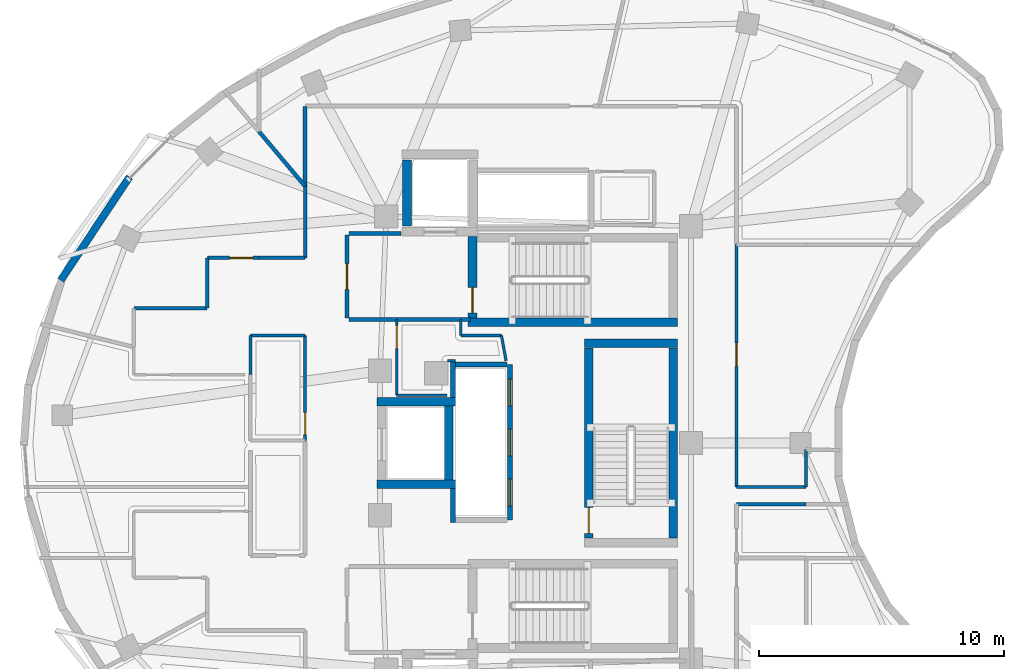
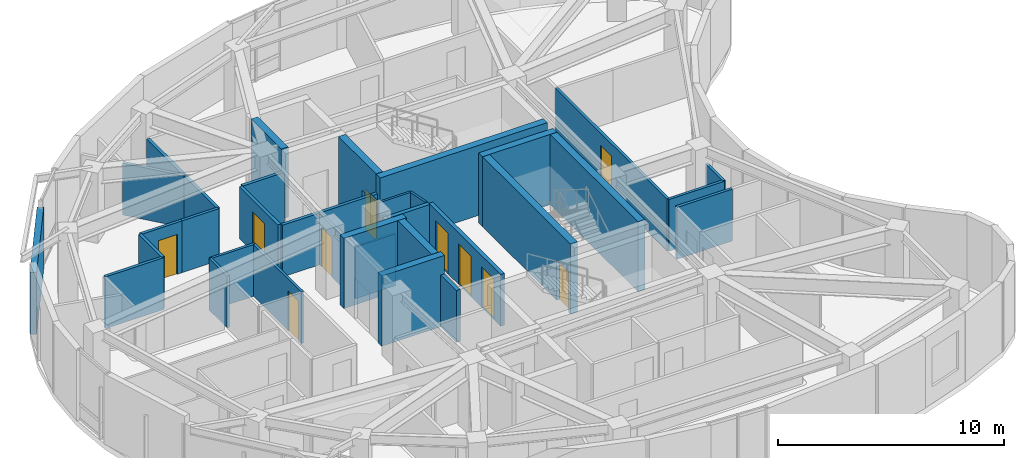
# One storey, part 7 of 12: 37 walls, 10 doors, 10 openings.
"""IFC4 building model written with IfcOpenShell, lengths in metres."""

from ifc_helpers import new_model, si_unit, direction, frame, frame_2d, origin, place, context, subcontext, project, spatial, rectangle, extrude, material, layer, layer_set, type_object, element, fill, save


model = new_model("IFC4")

# Units and contexts
model_context = context("Model", 3, precision=1e-05, world=origin(), true_north=direction((0.0, 1.0)))
body_context = subcontext(model_context, "Body", "Model", "MODEL_VIEW")
ifc_project = project(units=[si_unit("LENGTHUNIT", "METRE"), si_unit("AREAUNIT", "SQUARE_METRE"), si_unit("VOLUMEUNIT", "CUBIC_METRE"), si_unit("PLANEANGLEUNIT", "RADIAN"), si_unit("MASSUNIT", "GRAM", prefix="KILO")], contexts=[model_context])

# Site, building, storey
site_placement = place(None, origin())
site = spatial("IfcSite", under=ifc_project, at=site_placement, CompositionType="ELEMENT")
building_placement = place(site_placement, origin())
building = spatial("IfcBuilding", under=site, at=building_placement, Name="Korentha Bioscience Tower", CompositionType="ELEMENT")
storey_placement = place(building_placement, frame((0.0, 0.0, 282.60009765625)))
storey = spatial("IfcBuildingStorey", under=building, at=storey_placement, Name="L65", CompositionType="ELEMENT", Elevation=282.60009765625)

# Wall, opening, door
ifc_material_1 = material(Name="Double-Stud Acoustic Gypsum", Category="gypsum")
ifc_layer_1 = layer(ifc_material_1, 0.14990234375, Name="Double-Stud Acoustic Gypsum")
ifc_layer_set_1 = layer_set([ifc_layer_1], Name="Double-Stud Acoustic Gypsum (IW-L150)")
wall_type_1 = type_object("IfcWallType", Name="Acoustic Laboratory Partition Wall 150", PredefinedType="PARTITIONING", material=ifc_layer_set_1)
wall_1_placement = place(storey_placement, frame((19.89794921875, 34.56005859375, 0.0), z_axis=(0.0, 0.0, 1.0), x_axis=(-1.0, 0.0, 0.0)))
wall_1 = element("IfcWall", 1, at=wall_1_placement, inside=storey, type_object=wall_type_1, Name="L65 Data Visualization Collaboration Hub 12 Entrance Wall", PredefinedType="PARTITIONING", context=body_context, shape_type="SweptSolid", body=[
    extrude(rectangle(XDim=2.097900390625, YDim=0.14990234375, at=frame_2d((1.048828125, 0.0))), origin(), (0.0, 0.0, 1.0), 2.7998046875),
])
opening_1_placement = place(wall_1_placement, frame((0.239990234375, 0.0, 0.0)))
opening_1 = element("IfcOpeningElement", 2, at=opening_1_placement, cuts=wall_1, Name="Opening ID-10L", PredefinedType="OPENING", context=body_context, shape_type="SweptSolid", body=[
    extrude(rectangle(XDim=0.949951171875, YDim=2.14990234375, at=frame_2d((0.47509765625, 1.074951171875))), frame((0.0, 0.08984375, 0.0), z_axis=(0.0, -1.0, 0.0), x_axis=(1.0, 0.0, 0.0)), (0.0, 0.0, 1.0), 0.1796875),
])
ifc_material_2 = material(Name="Phenolic Laminate Timber Core", Category="wood")
door_type_1 = type_object("IfcDoorType", Name="Laboratory Single Leaf Door 950x2150 Left", OperationType="SINGLE_SWING_LEFT", PredefinedType="DOOR", material=ifc_material_2)
door_1_placement = place(opening_1_placement, origin())
door_1 = element("IfcDoor", 3, at=door_1_placement, inside=storey, type_object=door_type_1, Name="L65 Data Visualization Collaboration Hub 12 Door", OperationType="SINGLE_SWING_LEFT", OverallHeight=2.14990234375, OverallWidth=0.949951171875, PredefinedType="DOOR", context=body_context, shape_type="SweptSolid", body=[
    extrude(rectangle(XDim=0.949951171875, YDim=2.14990234375, at=frame_2d((0.47509765625, 1.074951171875))), frame((0.0, 0.02490234375, 0.0), z_axis=(0.0, -1.0, 0.0), x_axis=(1.0, 0.0, 0.0)), (0.0, 0.0, 1.0), 0.050048828125),
])
fill(opening_1, door_1)

# Walls
wall_2_placement = place(storey_placement, frame((39.409912109375, 24.498046875, 0.0), z_axis=(0.0, 0.0, 1.0), x_axis=(1.0, 0.0, 0.0)))
element("IfcWall", 4, at=wall_2_placement, inside=storey, type_object=wall_type_1, Name="L65 Interior Partition 051", PredefinedType="PARTITIONING", context=body_context, shape_type="SweptSolid", body=[
    extrude(rectangle(XDim=2.837890625, YDim=0.14990234375, at=frame_2d((1.4189453125, 0.0))), origin(), (0.0, 0.0, 1.0), 2.7998046875),
])
wall_3_placement = place(storey_placement, frame((21.7900390625, 37.4736328125, 0.0), z_axis=(0.0, 0.0, 1.0), x_axis=(0.0, -1.0, 0.0)))
element("IfcWall", 5, at=wall_3_placement, inside=storey, type_object=wall_type_1, Name="L65 Interior Partition 068", PredefinedType="PARTITIONING", context=body_context, shape_type="SweptSolid", body=[
    extrude(rectangle(XDim=2.90966796875, YDim=0.14990234375, at=frame_2d((1.454833984375, 0.0))), origin(), (0.0, 0.0, 1.0), 2.7998046875),
])
wall_4_placement = place(storey_placement, frame((21.7900390625, 34.56396484375, 0.0), z_axis=(0.0, 0.0, 1.0), x_axis=(-1.0, 0.0, 0.0)))
element("IfcWall", 6, at=wall_4_placement, inside=storey, type_object=wall_type_1, Name="L65 Interior Partition 069", PredefinedType="PARTITIONING", context=body_context, shape_type="SweptSolid", body=[
    extrude(rectangle(XDim=1.887939453125, YDim=0.14990234375, at=frame_2d((0.94384765625, 0.0))), origin(), (0.0, 0.0, 1.0), 2.7998046875),
])
wall_5_placement = place(storey_placement, frame((17.7900390625, 34.550048828125, 0.0), z_axis=(0.0, 0.0, 1.0), x_axis=(0.0, -1.0, 0.0)))
element("IfcWall", 7, at=wall_5_placement, inside=storey, type_object=wall_type_1, Name="L65 Interior Partition 071", PredefinedType="PARTITIONING", context=body_context, shape_type="SweptSolid", body=[
    extrude(rectangle(XDim=2.0400390625, YDim=0.14990234375, at=frame_2d((1.02001953125, 0.0))), origin(), (0.0, 0.0, 1.0), 2.7998046875),
])
wall_6_placement = place(storey_placement, frame((17.7900390625, 32.510009765625, 0.0), z_axis=(0.0, 0.0, 1.0), x_axis=(-1.0, 0.0, 0.0)))
element("IfcWall", 8, at=wall_6_placement, inside=storey, type_object=wall_type_1, Name="L65 Interior Partition 072", PredefinedType="PARTITIONING", context=body_context, shape_type="SweptSolid", body=[
    extrude(rectangle(XDim=2.989990234375, YDim=0.14990234375, at=frame_2d((1.4951171875, 0.0))), origin(), (0.0, 0.0, 1.0), 2.7998046875),
])

# Wall, opening, door
ifc_material_3 = material(Name="Insulated Aluminium Honeycomb Panel", Category="aluminium")
ifc_layer_2 = layer(ifc_material_3, 0.139892578125, Name="Insulated Aluminium Honeycomb Panel")
ifc_layer_set_2 = layer_set([ifc_layer_2], Name="Insulated Aluminium Honeycomb Panel (IW-F60)")
wall_type_2 = type_object("IfcWallType", Name="Cleanroom Flush Metal Panel Partition 140", PredefinedType="PARTITIONING", material=ifc_layer_set_2)
wall_7_placement = place(storey_placement, frame((39.409912109375, 25.201904296875, 0.0), z_axis=(0.0, 0.0, 1.0), x_axis=(0.0, 1.0, 0.0)))
wall_7 = element("IfcWall", 9, at=wall_7_placement, inside=storey, type_object=wall_type_2, Name="L65 NMR Spectroscopy Shielded Room 08 Entrance Wall", PredefinedType="PARTITIONING", context=body_context, shape_type="SweptSolid", body=[
    extrude(rectangle(XDim=9.89599609375, YDim=0.139892578125, at=frame_2d((4.947998046875, 0.0))), origin(), (0.0, 0.0, 1.0), 2.7998046875),
])
opening_2_placement = place(wall_7_placement, frame((4.927978515625, 0.0, 0.0)))
opening_2 = element("IfcOpeningElement", 10, at=opening_2_placement, cuts=wall_7, Name="Opening ID-10L", PredefinedType="OPENING", context=body_context, shape_type="SweptSolid", body=[
    extrude(rectangle(XDim=0.949951171875, YDim=2.14990234375, at=frame_2d((0.47509765625, 1.074951171875))), frame((0.0, 0.0849609375, 0.0), z_axis=(0.0, -1.0, 0.0), x_axis=(1.0, 0.0, 0.0)), (0.0, 0.0, 1.0), 0.169677734375),
])
door_2_placement = place(opening_2_placement, origin())
door_2 = element("IfcDoor", 11, at=door_2_placement, inside=storey, type_object=door_type_1, Name="L65 NMR Spectroscopy Shielded Room 08 Door", OperationType="SINGLE_SWING_LEFT", OverallHeight=2.14990234375, OverallWidth=0.949951171875, PredefinedType="DOOR", context=body_context, shape_type="SweptSolid", body=[
    extrude(rectangle(XDim=0.949951171875, YDim=2.14990234375, at=frame_2d((0.47509765625, 1.074951171875))), frame((0.0, 0.02490234375, 0.0), z_axis=(0.0, -1.0, 0.0), x_axis=(1.0, 0.0, 0.0)), (0.0, 0.0, 1.0), 0.050048828125),
])
fill(opening_2, door_2)

# Walls
wall_8_placement = place(storey_placement, frame((42.248046875, 26.73388671875, 0.0), z_axis=(0.0, 0.0, 1.0), x_axis=(0.0, -1.0, 0.0)))
element("IfcWall", 12, at=wall_8_placement, inside=storey, type_object=wall_type_2, Name="L65 Interior Partition 054", PredefinedType="PARTITIONING", context=body_context, shape_type="SweptSolid", body=[
    extrude(rectangle(XDim=1.53173828125, YDim=0.139892578125, at=frame_2d((0.765869140625, 0.0))), origin(), (0.0, 0.0, 1.0), 2.7998046875),
])
wall_9_placement = place(storey_placement, frame((42.247802734375, 25.201904296875, 0.0), z_axis=(0.0, 0.0, 1.0), x_axis=(-1.0, 0.0, 0.0)))
element("IfcWall", 13, at=wall_9_placement, inside=storey, type_object=wall_type_2, Name="L65 Interior Partition 055", PredefinedType="PARTITIONING", context=body_context, shape_type="SweptSolid", body=[
    extrude(rectangle(XDim=2.837890625, YDim=0.139892578125, at=frame_2d((1.4189453125, 0.0))), origin(), (0.0, 0.0, 1.0), 2.7998046875),
])

# Wall, opening, door
ifc_material_4 = material(Name="Fire-Rated Framed Glass", Category="glass")
ifc_layer_3 = layer(ifc_material_4, 0.110107421875, Name="Fire-Rated Framed Glass")
ifc_layer_set_3 = layer_set([ifc_layer_3], Name="Fire-Rated Framed Glass (IW-G110)")
wall_type_3 = type_object("IfcWallType", Name="Demountable Glazed Office Partition 110", PredefinedType="MOVABLE", material=ifc_layer_set_3)
wall_10_placement = place(storey_placement, frame((25.530029296875, 28.949951171875, 0.0), z_axis=(0.0, 0.0, 1.0), x_axis=(0.0, 1.0, 0.0)))
wall_10 = element("IfcWall", 14, at=wall_10_placement, inside=storey, type_object=wall_type_3, Name="L65 Research Group Leader Office 11 Entrance Wall", PredefinedType="MOVABLE", context=body_context, shape_type="SweptSolid", body=[
    extrude(rectangle(XDim=3.090087890625, YDim=0.110107421875, at=frame_2d((1.544921875, 0.0))), origin(), (0.0, 0.0, 1.0), 2.7998046875),
])
opening_3_placement = place(wall_10_placement, frame((1.89990234375, 0.0, 0.0)))
opening_3 = element("IfcOpeningElement", 15, at=opening_3_placement, cuts=wall_10, Name="Opening ID-10R", PredefinedType="OPENING", context=body_context, shape_type="SweptSolid", body=[
    extrude(rectangle(XDim=0.949951171875, YDim=2.14990234375, at=frame_2d((0.47509765625, 1.074951171875))), frame((0.0, 0.06982421875, 0.0), z_axis=(0.0, -1.0, 0.0), x_axis=(1.0, 0.0, 0.0)), (0.0, 0.0, 1.0), 0.139892578125),
])
door_type_2 = type_object("IfcDoorType", Name="Laboratory Single Leaf Door 950x2150 Right", OperationType="SINGLE_SWING_RIGHT", PredefinedType="DOOR", material=ifc_material_2)
door_3_placement = place(opening_3_placement, origin())
door_3 = element("IfcDoor", 16, at=door_3_placement, inside=storey, type_object=door_type_2, Name="L65 Research Group Leader Office 11 Door", OperationType="SINGLE_SWING_RIGHT", OverallHeight=2.14990234375, OverallWidth=0.949951171875, PredefinedType="DOOR", context=body_context, shape_type="SweptSolid", body=[
    extrude(rectangle(XDim=0.949951171875, YDim=2.14990234375, at=frame_2d((0.47509765625, 1.074951171875))), frame((0.0, 0.02490234375, 0.0), z_axis=(0.0, -1.0, 0.0), x_axis=(1.0, 0.0, 0.0)), (0.0, 0.0, 1.0), 0.050048828125),
])
fill(opening_3, door_3)

# Walls
wall_11_placement = place(storey_placement, frame((27.93408203125, 30.360107421875, 0.0), z_axis=(0.0, 0.0, 1.0), x_axis=(-1.0, 0.0, 0.0)))
element("IfcWall", 17, at=wall_11_placement, inside=storey, type_object=wall_type_3, Name="L65 Interior Partition 062", PredefinedType="MOVABLE", context=body_context, shape_type="SweptSolid", body=[
    extrude(rectangle(XDim=0.333984375, YDim=0.110107421875, at=frame_2d((0.1669921875, 0.0))), origin(), (0.0, 0.0, 1.0), 2.7998046875),
])
wall_12_placement = place(storey_placement, frame((27.590087890625, 28.949951171875, 0.0), z_axis=(0.0, 0.0, 1.0), x_axis=(-1.0, 0.0, 0.0)))
element("IfcWall", 18, at=wall_12_placement, inside=storey, type_object=wall_type_3, Name="L65 Interior Partition 063", PredefinedType="MOVABLE", context=body_context, shape_type="SweptSolid", body=[
    extrude(rectangle(XDim=2.06005859375, YDim=0.110107421875, at=frame_2d((1.030029296875, 0.0))), origin(), (0.0, 0.0, 1.0), 2.7998046875),
])
wall_13_placement = place(storey_placement, frame((28.139892578125, 32.0400390625, 0.0), z_axis=(0.0, 0.0, 1.0), x_axis=(0.0, -1.0, 0.0)))
element("IfcWall", 19, at=wall_13_placement, inside=storey, type_object=wall_type_3, Name="L65 Interior Partition 064", PredefinedType="MOVABLE", context=body_context, shape_type="SweptSolid", body=[
    extrude(rectangle(XDim=0.64013671875, YDim=0.110107421875, at=frame_2d((0.320068359375, 0.0))), origin(), (0.0, 0.0, 1.0), 2.7998046875),
])
wall_14_placement = place(storey_placement, frame((28.14990234375, 31.389892578125, 0.0), z_axis=(0.0, 0.0, 1.0), x_axis=(1.0, 0.0, 0.0)))
element("IfcWall", 20, at=wall_14_placement, inside=storey, type_object=wall_type_3, Name="L65 Interior Partition 065", PredefinedType="MOVABLE", context=body_context, shape_type="SweptSolid", body=[
    extrude(rectangle(XDim=1.657958984375, YDim=0.110107421875, at=frame_2d((0.8291015625, 0.0))), origin(), (0.0, 0.0, 1.0), 2.7998046875),
])
wall_15_placement = place(storey_placement, frame((29.807861328125, 31.389892578125, 0.0), z_axis=(0.0, 0.0, 1.0), x_axis=(0.180485788632, -0.983577592314, 0.0)))
element("IfcWall", 21, at=wall_15_placement, inside=storey, type_object=wall_type_3, Name="L65 Interior Partition 066", PredefinedType="MOVABLE", context=body_context, shape_type="SweptSolid", body=[
    extrude(rectangle(XDim=1.046875, YDim=0.110107421875, at=frame_2d((0.5234375, 0.0))), origin(), (0.0, 0.0, 1.0), 2.7998046875),
])

# Wall, opening, door
ifc_material_5 = material(Name="Gypsum-Clad Steel Stud", Category="steel")
ifc_layer_4 = layer(ifc_material_5, 0.159912109375, Name="Gypsum-Clad Steel Stud")
ifc_layer_set_4 = layer_set([ifc_layer_4], Name="Gypsum-Clad Steel Stud (IW-C160)")
wall_type_4 = type_object("IfcWallType", Name="Fire-Rated Corridor Partition Wall 160", PredefinedType="PARTITIONING", material=ifc_layer_set_4)
wall_16_placement = place(storey_placement, frame((23.5, 32.10009765625, 0.0), z_axis=(0.0, 0.0, 1.0), x_axis=(0.0, 1.0, 0.0)))
wall_16 = element("IfcWall", 22, at=wall_16_placement, inside=storey, type_object=wall_type_4, Name="L65 FFLN-CW Rated Enclosure Wall", PredefinedType="PARTITIONING", context=body_context, shape_type="SweptSolid", body=[
    extrude(rectangle(XDim=3.39990234375, YDim=0.159912109375, at=frame_2d((1.699951171875, 0.0))), origin(), (0.0, 0.0, 1.0), 2.7998046875),
])
opening_4_placement = place(wall_16_placement, frame((1.175048828125, 0.0, 0.0)))
opening_4 = element("IfcOpeningElement", 23, at=opening_4_placement, cuts=wall_16, Name="Opening FD-90R", PredefinedType="OPENING", context=body_context, shape_type="SweptSolid", body=[
    extrude(rectangle(XDim=1.050048828125, YDim=2.14990234375, at=frame_2d((0.52490234375, 1.074951171875))), frame((0.0, 0.0947265625, 0.0), z_axis=(0.0, -1.0, 0.0), x_axis=(1.0, 0.0, 0.0)), (0.0, 0.0, 1.0), 0.189697265625),
])
ifc_material_6 = material(Name="Powder-Coated Fire-Rated Steel", Category="steel")
door_type_3 = type_object("IfcDoorType", Name="Stairwell Fire Exit Door 1050x2150 Right", OperationType="SINGLE_SWING_RIGHT", PredefinedType="DOOR", material=ifc_material_6)
door_4_placement = place(opening_4_placement, origin())
door_4 = element("IfcDoor", 24, at=door_4_placement, inside=storey, type_object=door_type_3, Name="L65 North Firefighting Lobby Door", OperationType="SINGLE_SWING_RIGHT", OverallHeight=2.14990234375, OverallWidth=1.050048828125, PredefinedType="DOOR", context=body_context, shape_type="SweptSolid", body=[
    extrude(rectangle(XDim=1.050048828125, YDim=2.14990234375, at=frame_2d((0.52490234375, 1.074951171875))), frame((0.0, 0.02490234375, 0.0), z_axis=(0.0, -1.0, 0.0), x_axis=(1.0, 0.0, 0.0)), (0.0, 0.0, 1.0), 0.050048828125),
])
fill(opening_4, door_4)

# Walls
wall_17_placement = place(storey_placement, frame((23.580078125, 32.050048828125, 0.0), z_axis=(0.0, 0.0, 1.0), x_axis=(1.0, 0.0, 0.0)))
element("IfcWall", 25, at=wall_17_placement, inside=storey, type_object=wall_type_4, Name="L65 Firefighting Lobby Return Wall FFLN-S", PredefinedType="PARTITIONING", context=body_context, shape_type="SweptSolid", body=[
    extrude(rectangle(XDim=4.969970703125, YDim=0.159912109375, at=frame_2d((2.48486328125, 0.0))), origin(), (0.0, 0.0, 1.0), 2.7998046875),
])
wall_18_placement = place(storey_placement, frame((23.580078125, 35.550048828125, 0.0), z_axis=(0.0, 0.0, 1.0), x_axis=(1.0, 0.0, 0.0)))
element("IfcWall", 26, at=wall_18_placement, inside=storey, type_object=wall_type_4, Name="L65 Firefighting Lobby Return Wall FFLN-N", PredefinedType="PARTITIONING", context=body_context, shape_type="SweptSolid", body=[
    extrude(rectangle(XDim=2.119873046875, YDim=0.159912109375, at=frame_2d((1.06005859375, 0.0))), origin(), (0.0, 0.0, 1.0), 2.7998046875),
])
wall_19_placement = place(storey_placement, frame((21.7900390625, 40.75, 0.0), z_axis=(0.0, 0.0, 1.0), x_axis=(0.0, -1.0, 0.0)))
element("IfcWall", 27, at=wall_19_placement, inside=storey, type_object=wall_type_4, Name="L65 Interior Partition 060", PredefinedType="PARTITIONING", context=body_context, shape_type="SweptSolid", body=[
    extrude(rectangle(XDim=3.266357421875, YDim=0.159912109375, at=frame_2d((1.63330078125, 0.0))), origin(), (0.0, 0.0, 1.0), 2.7998046875),
])
wall_20_placement = place(storey_placement, frame((21.7900390625, 37.483642578125, 0.0), z_axis=(0.0, 0.0, 1.0), x_axis=(-0.644133180728, 0.764913358156, 0.0)))
element("IfcWall", 28, at=wall_20_placement, inside=storey, type_object=wall_type_4, Name="L65 Interior Partition 061", PredefinedType="PARTITIONING", context=body_context, shape_type="SweptSolid", body=[
    extrude(rectangle(XDim=2.930908203125, YDim=0.159912109375, at=frame_2d((1.46533203125, 0.0))), origin(), (0.0, 0.0, 1.0), 2.7998046875),
])
ifc_material_7 = material(Name="Honed Limestone Precast Concrete C40", Category="masonry")
ifc_layer_5 = layer(ifc_material_7, 0.300048828125, Name="Honed Limestone Precast Concrete C40")
ifc_layer_set_5 = layer_set([ifc_layer_5], Name="Honed Limestone Precast Concrete C40 (EW-ST300)")
wall_type_5 = type_object("IfcWallType", Name="Honed Limestone Cavity Spandrel Wall 300", PredefinedType="STANDARD", material=ifc_layer_set_5)
wall_21_placement = place(storey_placement, frame((14.61181640625, 37.8681640625, 0.0), z_axis=(0.0, 0.0, 1.0), x_axis=(-0.553332864868, -0.832960227536, 0.0)))
element("IfcWall", 29, at=wall_21_placement, inside=storey, type_object=wall_type_5, Name="L65 Limestone Perimeter Closure Wall 14", PredefinedType="STANDARD", context=body_context, shape_type="SweptSolid", body=[
    extrude(rectangle(XDim=5.07080078125, YDim=0.300048828125, at=frame_2d((2.535400390625, 0.0))), origin(), (0.0, 0.0, 1.0), 3.35986328125),
])
ifc_material_8 = material(Name="Autoclaved Aerated Concrete Block C25", Category="concrete")
ifc_layer_6 = layer(ifc_material_8, 0.199951171875, Name="Autoclaved Aerated Concrete Block C25")
ifc_layer_set_6 = layer_set([ifc_layer_6], Name="Autoclaved Aerated Concrete Block C25 (IW-S200)")
wall_type_6 = type_object("IfcWallType", Name="Lift and Riser Shaft Enclosure Wall 200", PredefinedType="PARTITIONING", material=ifc_layer_set_6)
wall_22_placement = place(storey_placement, frame((27.830078125, 23.75, 0.0), z_axis=(0.0, 0.0, 1.0), x_axis=(0.0, 1.0, 0.0)))
element("IfcWall", 30, at=wall_22_placement, inside=storey, type_object=wall_type_6, Name="L65 Lift Bank HIGH Shaft Wall -XS", PredefinedType="PARTITIONING", context=body_context, shape_type="SweptSolid", body=[
    extrude(rectangle(XDim=1.39111328125, YDim=0.199951171875, at=frame_2d((0.695556640625, 0.0))), origin(), (0.0, 0.0, 1.0), 2.7998046875),
])
wall_23_placement = place(storey_placement, frame((27.830078125, 28.85888671875, 0.0), z_axis=(0.0, 0.0, 1.0), x_axis=(0.0, 1.0, 0.0)))
element("IfcWall", 31, at=wall_23_placement, inside=storey, type_object=wall_type_6, Name="L65 Lift Bank HIGH Shaft Wall -XN", PredefinedType="PARTITIONING", context=body_context, shape_type="SweptSolid", body=[
    extrude(rectangle(XDim=1.441162109375, YDim=0.199951171875, at=frame_2d((0.720703125, 0.0))), origin(), (0.0, 0.0, 1.0), 2.7998046875),
])

# Wall, openings, doors
wall_24_placement = place(storey_placement, frame((30.14990234375, 23.85009765625, 0.0), z_axis=(0.0, 0.0, 1.0), x_axis=(0.0, 1.0, 0.0)))
wall_24 = element("IfcWall", 32, at=wall_24_placement, inside=storey, type_object=wall_type_6, Name="L65 Lift Bank HIGH Shaft Wall +X", PredefinedType="PARTITIONING", context=body_context, shape_type="SweptSolid", body=[
    extrude(rectangle(XDim=6.349853515625, YDim=0.199951171875, at=frame_2d((3.1748046875, 0.0))), origin(), (0.0, 0.0, 1.0), 2.7998046875),
])
opening_5_placement = place(wall_24_placement, frame((0.580078125, 0.0, 0.0)))
opening_5 = element("IfcOpeningElement", 33, at=opening_5_placement, cuts=wall_24, Name="Opening LD-11", PredefinedType="OPENING", context=body_context, shape_type="SweptSolid", body=[
    extrude(rectangle(XDim=1.10009765625, YDim=2.199951171875, at=frame_2d((0.550048828125, 1.10009765625))), frame((0.0, 0.11474609375, 0.0), z_axis=(0.0, -1.0, 0.0), x_axis=(1.0, 0.0, 0.0)), (0.0, 0.0, 1.0), 0.229736328125),
])
opening_6_placement = place(wall_24_placement, frame((2.6201171875, 0.0, 0.0)))
opening_6 = element("IfcOpeningElement", 34, at=opening_6_placement, cuts=wall_24, Name="Opening LD-11", PredefinedType="OPENING", context=body_context, shape_type="SweptSolid", body=[
    extrude(rectangle(XDim=1.10009765625, YDim=2.199951171875, at=frame_2d((0.550048828125, 1.10009765625))), frame((0.0, 0.11474609375, 0.0), z_axis=(0.0, -1.0, 0.0), x_axis=(1.0, 0.0, 0.0)), (0.0, 0.0, 1.0), 0.229736328125),
])
opening_7_placement = place(wall_24_placement, frame((4.669921875, 0.0, 0.0)))
opening_7 = element("IfcOpeningElement", 35, at=opening_7_placement, cuts=wall_24, Name="Opening LD-11", PredefinedType="OPENING", context=body_context, shape_type="SweptSolid", body=[
    extrude(rectangle(XDim=1.10009765625, YDim=2.199951171875, at=frame_2d((0.550048828125, 1.10009765625))), frame((0.0, 0.11474609375, 0.0), z_axis=(0.0, -1.0, 0.0), x_axis=(1.0, 0.0, 0.0)), (0.0, 0.0, 1.0), 0.229736328125),
])
ifc_material_9 = material(Name="Brushed Stainless Steel 304", Category="steel")
door_type_4 = type_object("IfcDoorType", Name="Passenger Lift Sliding Landing Door 1100x2200", OperationType="DOUBLE_DOOR_SLIDING", PredefinedType="DOOR", material=ifc_material_9)
door_5_placement = place(opening_5_placement, origin())
door_5 = element("IfcDoor", 36, at=door_5_placement, inside=storey, type_object=door_type_4, Name="L65 PL-H1 Sliding Lift Landing Door", OperationType="DOUBLE_DOOR_SLIDING", OverallHeight=2.199951171875, OverallWidth=1.10009765625, PredefinedType="DOOR", context=body_context, shape_type="SweptSolid", body=[
    extrude(rectangle(XDim=1.10009765625, YDim=2.199951171875, at=frame_2d((0.550048828125, 1.10009765625))), frame((0.0, 0.02490234375, 0.0), z_axis=(0.0, -1.0, 0.0), x_axis=(1.0, 0.0, 0.0)), (0.0, 0.0, 1.0), 0.050048828125),
])
fill(opening_5, door_5)
door_6_placement = place(opening_6_placement, origin())
door_6 = element("IfcDoor", 37, at=door_6_placement, inside=storey, type_object=door_type_4, Name="L65 PL-H2 Sliding Lift Landing Door", OperationType="DOUBLE_DOOR_SLIDING", OverallHeight=2.199951171875, OverallWidth=1.10009765625, PredefinedType="DOOR", context=body_context, shape_type="SweptSolid", body=[
    extrude(rectangle(XDim=1.10009765625, YDim=2.199951171875, at=frame_2d((0.550048828125, 1.10009765625))), frame((0.0, 0.02490234375, 0.0), z_axis=(0.0, -1.0, 0.0), x_axis=(1.0, 0.0, 0.0)), (0.0, 0.0, 1.0), 0.050048828125),
])
fill(opening_6, door_6)
door_7_placement = place(opening_7_placement, origin())
door_7 = element("IfcDoor", 38, at=door_7_placement, inside=storey, type_object=door_type_4, Name="L65 PL-H3 Sliding Lift Landing Door", OperationType="DOUBLE_DOOR_SLIDING", OverallHeight=2.199951171875, OverallWidth=1.10009765625, PredefinedType="DOOR", context=body_context, shape_type="SweptSolid", body=[
    extrude(rectangle(XDim=1.10009765625, YDim=2.199951171875, at=frame_2d((0.550048828125, 1.10009765625))), frame((0.0, 0.02490234375, 0.0), z_axis=(0.0, -1.0, 0.0), x_axis=(1.0, 0.0, 0.0)), (0.0, 0.0, 1.0), 0.050048828125),
])
fill(opening_7, door_7)

# Walls
wall_25_placement = place(storey_placement, frame((27.93408203125, 30.199951171875, 0.0), z_axis=(0.0, 0.0, 1.0), x_axis=(1.0, 0.0, 0.0)))
element("IfcWall", 39, at=wall_25_placement, inside=storey, type_object=wall_type_6, Name="L65 Lift Bank HIGH Shaft Wall +Y", PredefinedType="PARTITIONING", context=body_context, shape_type="SweptSolid", body=[
    extrude(rectangle(XDim=2.095947265625, YDim=0.199951171875, at=frame_2d((1.0478515625, 0.0))), origin(), (0.0, 0.0, 1.0), 2.7998046875),
])
ifc_material_10 = material(Name="Concrete C50", Category="concrete")
ifc_layer_7 = layer(ifc_material_10, 0.35009765625, Name="Concrete C50")
ifc_layer_set_7 = layer_set([ifc_layer_7], Name="Concrete C50 (CW-C50)")
wall_type_7 = type_object("IfcWallType", Name="Upper Core Shear Wall 350", PredefinedType="SHEAR", material=ifc_layer_set_7)
wall_26_placement = place(storey_placement, frame((28.449951171875, 31.925048828125, 0.0), z_axis=(0.0, 0.0, 1.0), x_axis=(1.0, 0.0, 0.0)))
element("IfcWall", 40, at=wall_26_placement, inside=storey, type_object=wall_type_7, Name="L65 Core Shear Wall ST1-S", PredefinedType="SHEAR", context=body_context, shape_type="SweptSolid", body=[
    extrude(rectangle(XDim=8.550048828125, YDim=0.35009765625, at=frame_2d((4.27490234375, 0.0))), origin(), (0.0, 0.0, 1.0), 3.789794921875),
])

# Wall, opening, door
wall_27_placement = place(storey_placement, frame((28.625, 32.110107421875, 0.0), z_axis=(0.0, 0.0, 1.0), x_axis=(0.0, 1.0, 0.0)))
wall_27 = element("IfcWall", 41, at=wall_27_placement, inside=storey, type_object=wall_type_7, Name="L65 Core Shear Wall ST1-W", PredefinedType="SHEAR", context=body_context, shape_type="SweptSolid", body=[
    extrude(rectangle(XDim=3.3330078125, YDim=0.35009765625, at=frame_2d((1.66650390625, 0.0))), origin(), (0.0, 0.0, 1.0), 3.789794921875),
])
opening_8_placement = place(wall_27_placement, frame((0.199951171875, 0.0, 0.0)))
opening_8 = element("IfcOpeningElement", 42, at=opening_8_placement, cuts=wall_27, Name="Opening FD-90R", PredefinedType="OPENING", context=body_context, shape_type="SweptSolid", body=[
    extrude(rectangle(XDim=1.050048828125, YDim=2.14990234375, at=frame_2d((0.52490234375, 1.074951171875))), frame((0.0, 0.18994140625, 0.0), z_axis=(0.0, -1.0, 0.0), x_axis=(1.0, 0.0, 0.0)), (0.0, 0.0, 1.0), 0.3798828125),
])
door_8_placement = place(opening_8_placement, origin())
door_8 = element("IfcDoor", 43, at=door_8_placement, inside=storey, type_object=door_type_3, Name="L65 ST-1 Fire Exit Stair Door", OperationType="SINGLE_SWING_RIGHT", OverallHeight=2.14990234375, OverallWidth=1.050048828125, PredefinedType="DOOR", context=body_context, shape_type="SweptSolid", body=[
    extrude(rectangle(XDim=1.050048828125, YDim=2.14990234375, at=frame_2d((0.52490234375, 1.074951171875))), frame((0.0, 0.02490234375, 0.0), z_axis=(0.0, -1.0, 0.0), x_axis=(1.0, 0.0, 0.0)), (0.0, 0.0, 1.0), 0.050048828125),
])
fill(opening_8, door_8)

# Walls
wall_28_placement = place(storey_placement, frame((33.199951171875, 31.074951171875, 0.0), z_axis=(0.0, 0.0, 1.0), x_axis=(1.0, 0.0, 0.0)))
element("IfcWall", 44, at=wall_28_placement, inside=storey, type_object=wall_type_7, Name="L65 Core Shear Wall ST3-N", PredefinedType="SHEAR", context=body_context, shape_type="SweptSolid", body=[
    extrude(rectangle(XDim=3.800048828125, YDim=0.35009765625, at=frame_2d((1.89990234375, 0.0))), origin(), (0.0, 0.0, 1.0), 3.789794921875),
])
wall_29_placement = place(storey_placement, frame((36.824951171875, 23.110107421875, 0.0), z_axis=(0.0, 0.0, 1.0), x_axis=(0.0, 1.0, 0.0)))
element("IfcWall", 45, at=wall_29_placement, inside=storey, type_object=wall_type_7, Name="L65 Core Shear Wall ST3-E", PredefinedType="SHEAR", context=body_context, shape_type="SweptSolid", body=[
    extrude(rectangle(XDim=7.77978515625, YDim=0.35009765625, at=frame_2d((3.889892578125, 0.0))), origin(), (0.0, 0.0, 1.0), 3.789794921875),
])

# Wall, opening, door
wall_30_placement = place(storey_placement, frame((33.375, 23.110107421875, 0.0), z_axis=(0.0, 0.0, 1.0), x_axis=(0.0, 1.0, 0.0)))
wall_30 = element("IfcWall", 46, at=wall_30_placement, inside=storey, type_object=wall_type_7, Name="L65 Core Shear Wall ST3-W", PredefinedType="SHEAR", context=body_context, shape_type="SweptSolid", body=[
    extrude(rectangle(XDim=7.77978515625, YDim=0.35009765625, at=frame_2d((3.889892578125, 0.0))), origin(), (0.0, 0.0, 1.0), 3.789794921875),
])
opening_9_placement = place(wall_30_placement, frame((0.199951171875, 0.0, 0.0)))
opening_9 = element("IfcOpeningElement", 47, at=opening_9_placement, cuts=wall_30, Name="Opening FD-90R", PredefinedType="OPENING", context=body_context, shape_type="SweptSolid", body=[
    extrude(rectangle(XDim=1.050048828125, YDim=2.14990234375, at=frame_2d((0.52490234375, 1.074951171875))), frame((0.0, 0.18994140625, 0.0), z_axis=(0.0, -1.0, 0.0), x_axis=(1.0, 0.0, 0.0)), (0.0, 0.0, 1.0), 0.3798828125),
])
door_9_placement = place(opening_9_placement, origin())
door_9 = element("IfcDoor", 48, at=door_9_placement, inside=storey, type_object=door_type_3, Name="L65 ST-3 Fire Exit Stair Door", OperationType="SINGLE_SWING_RIGHT", OverallHeight=2.14990234375, OverallWidth=1.050048828125, PredefinedType="DOOR", context=body_context, shape_type="SweptSolid", body=[
    extrude(rectangle(XDim=1.050048828125, YDim=2.14990234375, at=frame_2d((0.52490234375, 1.074951171875))), frame((0.0, 0.02490234375, 0.0), z_axis=(0.0, -1.0, 0.0), x_axis=(1.0, 0.0, 0.0)), (0.0, 0.0, 1.0), 0.050048828125),
])
fill(opening_9, door_9)

# Walls
wall_31_placement = place(storey_placement, frame((25.949951171875, 35.860107421875, 0.0), z_axis=(0.0, 0.0, 1.0), x_axis=(0.0, 1.0, 0.0)))
element("IfcWall", 49, at=wall_31_placement, inside=storey, type_object=wall_type_7, Name="L65 Core Shear Wall FFL2-W", PredefinedType="SHEAR", context=body_context, shape_type="SweptSolid", body=[
    extrude(rectangle(XDim=2.699951171875, YDim=0.35009765625, at=frame_2d((1.35009765625, 0.0))), origin(), (0.0, 0.0, 1.0), 3.789794921875),
])
for number, where, z_axis, x_axis, name in (
    (50, (24.719970703125, 28.679931640625, 0.0), (0.0, 0.0, 1.0), (1.0, 0.0, 0.0), "L65 Core Shear Wall SVL1-N"),
    (51, (24.719970703125, 25.320068359375, 0.0), (0.0, 0.0, 1.0), (1.0, 0.0, 0.0), "L65 Core Shear Wall SVL1-S"),
):
    element("IfcWall", number, at=place(storey_placement, frame(where, z_axis=z_axis, x_axis=x_axis)), inside=storey, type_object=wall_type_7, Name=name, PredefinedType="SHEAR", context=body_context, shape_type="SweptSolid", body=[
        extrude(rectangle(XDim=3.2099609375, YDim=0.35009765625, at=frame_2d((1.60498046875, 0.0))), origin(), (0.0, 0.0, 1.0), 3.789794921875),
    ])
wall_32_placement = place(storey_placement, frame((27.64990234375, 25.4970703125, 0.0), z_axis=(0.0, 0.0, 1.0), x_axis=(0.0, 1.0, 0.0)))
element("IfcWall", 52, at=wall_32_placement, inside=storey, type_object=wall_type_7, Name="L65 Core Shear Wall SVL1-E", PredefinedType="SHEAR", context=body_context, shape_type="SweptSolid", body=[
    extrude(rectangle(XDim=3.005859375, YDim=0.35009765625, at=frame_2d((1.5029296875, 0.0))), origin(), (0.0, 0.0, 1.0), 3.789794921875),
])

# Wall, opening, door
ifc_material_11 = material(Name="Cement-Board Steel Stud", Category="steel")
ifc_layer_8 = layer(ifc_material_11, 0.1298828125, Name="Cement-Board Steel Stud")
ifc_layer_set_8 = layer_set([ifc_layer_8], Name="Cement-Board Steel Stud (IW-W130)")
wall_type_8 = type_object("IfcWallType", Name="Wet-Area Moisture-Resistant Partition 130", PredefinedType="PARTITIONING", material=ifc_layer_set_8)
wall_33_placement = place(storey_placement, frame((21.7900390625, 31.389892578125, 0.0), z_axis=(0.0, 0.0, 1.0), x_axis=(0.0, -1.0, 0.0)))
wall_33 = element("IfcWall", 53, at=wall_33_placement, inside=storey, type_object=wall_type_8, Name="L65 Reclaimed Bank-2 Accessible Staff WC Entrance Wall", PredefinedType="PARTITIONING", context=body_context, shape_type="SweptSolid", body=[
    extrude(rectangle(XDim=4.289794921875, YDim=0.1298828125, at=frame_2d((2.14501953125, 0.0))), origin(), (0.0, 0.0, 1.0), 2.7998046875),
])
opening_10_placement = place(wall_33_placement, frame((3.14990234375, 0.0, 0.0)))
opening_10 = element("IfcOpeningElement", 54, at=opening_10_placement, cuts=wall_33, Name="Opening ID-09L", PredefinedType="OPENING", context=body_context, shape_type="SweptSolid", body=[
    extrude(rectangle(XDim=0.89990234375, YDim=2.14990234375, at=frame_2d((0.449951171875, 1.074951171875))), frame((0.0, 0.079833984375, 0.0), z_axis=(0.0, -1.0, 0.0), x_axis=(1.0, 0.0, 0.0)), (0.0, 0.0, 1.0), 0.15966796875),
])
ifc_material_12 = material(Name="Moisture-Resistant HPL Leaf", Category="wood")
door_type_5 = type_object("IfcDoorType", Name="Restroom & Accessible WC Door 900x2150 Left", OperationType="SINGLE_SWING_LEFT", PredefinedType="DOOR", material=ifc_material_12)
door_10_placement = place(opening_10_placement, origin())
door_10 = element("IfcDoor", 55, at=door_10_placement, inside=storey, type_object=door_type_5, Name="L65 Reclaimed Bank-2 Accessible Staff WC Door", OperationType="SINGLE_SWING_LEFT", OverallHeight=2.14990234375, OverallWidth=0.89990234375, PredefinedType="DOOR", context=body_context, shape_type="SweptSolid", body=[
    extrude(rectangle(XDim=0.89990234375, YDim=2.14990234375, at=frame_2d((0.449951171875, 1.074951171875))), frame((0.0, 0.02490234375, 0.0), z_axis=(0.0, -1.0, 0.0), x_axis=(1.0, 0.0, 0.0)), (0.0, 0.0, 1.0), 0.050048828125),
])
fill(opening_10, door_10)

# Walls
wall_34_placement = place(storey_placement, frame((19.56005859375, 29.800048828125, 0.0), z_axis=(0.0, 0.0, 1.0), x_axis=(0.0, 1.0, 0.0)))
element("IfcWall", 56, at=wall_34_placement, inside=storey, type_object=wall_type_8, Name="L65 Interior Partition 028", PredefinedType="PARTITIONING", context=body_context, shape_type="SweptSolid", body=[
    extrude(rectangle(XDim=1.58984375, YDim=0.1298828125, at=frame_2d((0.794921875, 0.0))), origin(), (0.0, 0.0, 1.0), 2.7998046875),
])
wall_35_placement = place(storey_placement, frame((19.56005859375, 31.389892578125, 0.0), z_axis=(0.0, 0.0, 1.0), x_axis=(1.0, 0.0, 0.0)))
element("IfcWall", 57, at=wall_35_placement, inside=storey, type_object=wall_type_8, Name="L65 Interior Partition 029", PredefinedType="PARTITIONING", context=body_context, shape_type="SweptSolid", body=[
    extrude(rectangle(XDim=2.22998046875, YDim=0.1298828125, at=frame_2d((1.114990234375, 0.0))), origin(), (0.0, 0.0, 1.0), 2.7998046875),
])

save(model, "model.ifc")
